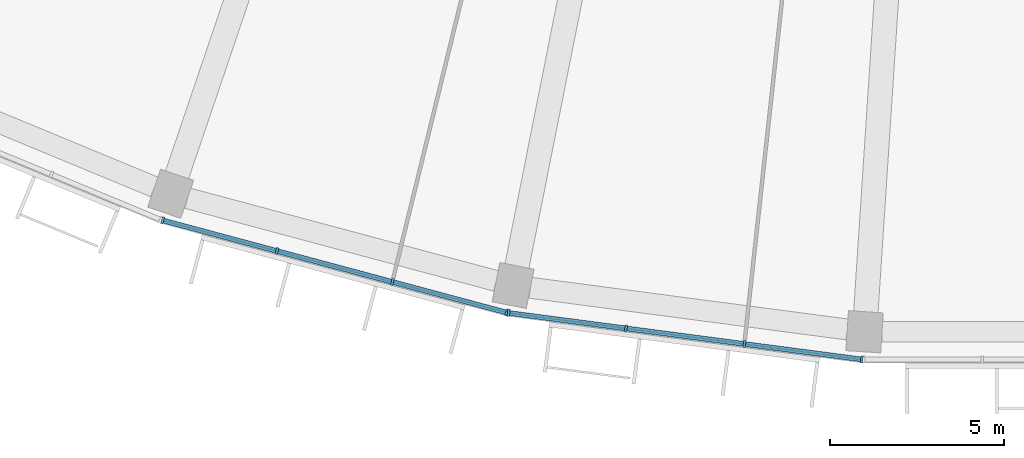
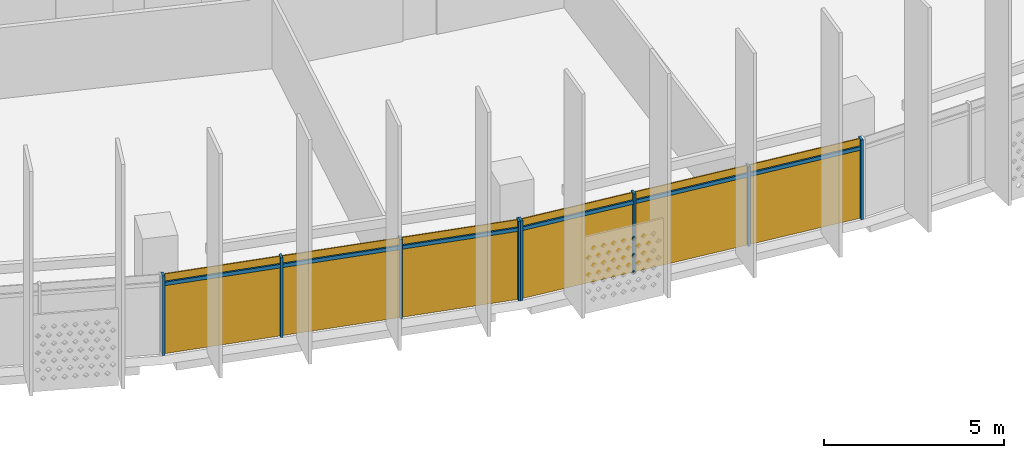
# One storey, part 18 of 28: 14 members, 2 curtain walls.
"""IFC4 building model written with IfcOpenShell, lengths in metres."""

import ifcopenshell
import ifcopenshell.guid

model = None  # the IFC model being written
_history = None  # IfcOwnerHistory: only IFC2X3 demands one
_inside = {}  # id of a spatial element -> (the spatial element, [elements in it])
_under = {}  # id of a project, library or spatial element -> (it, [spatial elements below it])
_declared = {}  # id of a project -> (the project, [libraries it declares])
_typed = {}  # id of a type object -> (the type object, [elements of that type])
_made_of = {}  # id of a material, layer set ... -> (it, [elements and type objects made of it])


def new_model(schema):
    """Start an empty IFC model of exactly this schema.

    Asked for "IFC4X3", IfcOpenShell would pick the latest addendum, in which some entities
    have other attributes; the version numbers below select the first issue.
    IFC2X3 requires an IfcOwnerHistory on every rooted entity: one is made here for all.
    """
    global model, _history
    if schema == "IFC4X3":
        model = ifcopenshell.file(schema_version=(4, 3, 0, 0))
    else:
        model = ifcopenshell.file(schema=schema)
    _inside.clear()
    _under.clear()
    _declared.clear()
    _typed.clear()
    _made_of.clear()
    _history = None
    if model.schema == "IFC2X3":
        org = make("IfcOrganization", Name="unknown")
        user = make(
            "IfcPersonAndOrganization",
            ThePerson=make("IfcPerson", FamilyName="unknown"),
            TheOrganization=org,
        )
        app = make(
            "IfcApplication",
            ApplicationDeveloper=org,
            Version="unknown",
            ApplicationFullName="unknown",
            ApplicationIdentifier="unknown",
        )
        _history = make(
            "IfcOwnerHistory",
            OwningUser=user,
            OwningApplication=app,
            ChangeAction="ADDED",
            CreationDate=0,
        )
    return model


def make(cls, **values):
    """One entity of the class cls with the attributes given. An attribute that is None is left unset."""
    return model.create_entity(
        cls, **{name: value for name, value in values.items() if value is not None}
    )


def rooted(cls, **values):
    """An entity with a GlobalId (a new one), such as an element, a storey or a relation."""
    return make(cls, GlobalId=ifcopenshell.guid.new(), OwnerHistory=_history, **values)


def si_unit(unit_type, name, prefix=None):
    """IfcSIUnit, for example si_unit("LENGTHUNIT", "METRE", prefix="MILLI")."""
    return make("IfcSIUnit", UnitType=unit_type, Prefix=prefix, Name=name)


def assignment(units):
    """IfcUnitAssignment: the units of a project."""
    return None if units is None else make("IfcUnitAssignment", Units=units)


def point(xyz):
    """IfcCartesianPoint."""
    return None if xyz is None else make("IfcCartesianPoint", Coordinates=xyz)


def direction(xyz):
    """IfcDirection."""
    return None if xyz is None else make("IfcDirection", DirectionRatios=xyz)


def frame(location, z_axis=None, x_axis=None):
    """IfcAxis2Placement3D, a coordinate frame: its origin and axes. An axis left out is left unset."""
    return make(
        "IfcAxis2Placement3D",
        Location=point(location),
        Axis=direction(z_axis),
        RefDirection=direction(x_axis),
    )


def frame_2d(location, x_axis=None):
    """IfcAxis2Placement2D, a coordinate frame in the plane: its origin and x axis."""
    return make(
        "IfcAxis2Placement2D", Location=point(location), RefDirection=direction(x_axis)
    )


def origin():
    """The frame at (0, 0, 0) with its axes left unset."""
    return frame((0.0, 0.0, 0.0))


def origin_2d():
    """The frame at (0, 0) in the plane with its x axis left unset."""
    return frame_2d((0.0, 0.0))


def place(relative_to, where):
    """IfcLocalPlacement: puts the frame where relative to a parent placement (None: the world)."""
    return make(
        "IfcLocalPlacement", PlacementRelTo=relative_to, RelativePlacement=where
    )


def context(
    kind, dimensions, precision=None, world=None, true_north=None, identifier=None
):
    """IfcGeometricRepresentationContext, for example the 3D "Model" context."""
    return make(
        "IfcGeometricRepresentationContext",
        ContextIdentifier=identifier,
        ContextType=kind,
        CoordinateSpaceDimension=dimensions,
        Precision=precision,
        WorldCoordinateSystem=world,
        TrueNorth=true_north,
    )


def subcontext(parent, identifier, kind, view, scale=None):
    """IfcGeometricRepresentationSubContext, for example "Body" below "Model"."""
    return make(
        "IfcGeometricRepresentationSubContext",
        ContextIdentifier=identifier,
        ContextType=kind,
        ParentContext=parent,
        TargetScale=scale,
        TargetView=view,
    )


def project(units=None, contexts=None):
    """IfcProject with its units and contexts."""
    return rooted(
        "IfcProject",
        Name="project",
        RepresentationContexts=contexts,
        UnitsInContext=assignment(units),
    )


def spatial(cls, under=None, at=None, **own):
    """A site, building, storey or space (cls), placed at a placement, below another one or the project."""
    s = rooted(cls, ObjectPlacement=at, **own)
    if under is not None:
        _under.setdefault(under.id(), (under, []))[1].append(s)
    return s


def profile(cls, at=None, kind="AREA", **sizes):
    """A parametric profile (cls). Its sizes go by their IFC names, for example OverallWidth=200.0."""
    return make(cls, ProfileType=kind, Position=at, **sizes)


def rectangle(**sizes):
    """IfcRectangleProfileDef."""
    return profile("IfcRectangleProfileDef", **sizes)


def extrude(swept, where, along, depth):
    """IfcExtrudedAreaSolid: the profile swept, set in the frame where, extruded along a direction by depth."""
    return make(
        "IfcExtrudedAreaSolid",
        SweptArea=swept,
        Position=where,
        ExtrudedDirection=direction(along),
        Depth=depth,
    )


def shape(context_of_items, identifier, shape_type, items):
    """IfcShapeRepresentation: the items that make up one representation, for example the "Body"."""
    return make(
        "IfcShapeRepresentation",
        ContextOfItems=context_of_items,
        RepresentationIdentifier=identifier,
        RepresentationType=shape_type,
        Items=items,
    )


def material(Name=None, Category=None):
    """IfcMaterial."""
    return make("IfcMaterial", Name=Name, Category=Category)


def material_profile(
    of_material, cross_section, Name=None, Category=None, Priority=None
):
    """IfcMaterialProfile: a cross section and its material."""
    return make(
        "IfcMaterialProfile",
        Name=Name,
        Material=of_material,
        Profile=cross_section,
        Priority=Priority,
        Category=Category,
    )


def profile_set(profiles, Name=None, composite=None):
    """IfcMaterialProfileSet."""
    return make(
        "IfcMaterialProfileSet",
        Name=Name,
        MaterialProfiles=profiles,
        CompositeProfile=composite,
    )


def made_of(thing, what):
    """Note that an element or type object is made of a material, layer set ...; save() writes the relation."""
    if what is not None:
        _made_of.setdefault(what.id(), (what, []))[1].append(thing)
    return thing


def type_object(cls, material=None, **own):
    """A type object (cls), such as IfcWallType, which elements share."""
    return made_of(rooted(cls, **own), material)


def element(
    cls,
    number,
    at=None,
    inside=None,
    cuts=None,
    type_object=None,
    material=None,
    context=None,
    identifier="Body",
    shape_type=None,
    held_by="IfcProductDefinitionShape",
    body=None,
    shapes=None,
    **own,
):
    """One element of the class cls, such as IfcWall. Its Tag is "e" and its number.

    at: its placement. inside: the storey or other place that contains it. cuts: it is an
    opening in that element (IfcRelVoidsElement). A single representation is given by context,
    identifier, shape_type and body (its items); several are given by shapes. held_by: the class
    of the entity that holds the representations. save() writes the other relations.
    """
    e = rooted(cls, Tag="e%d" % number, ObjectPlacement=at, **own)
    if body is not None:
        shapes = [shape(context, identifier, shape_type, body)]
    if shapes is not None:
        e.Representation = make(held_by, Representations=shapes)
    if inside is not None:
        _inside.setdefault(inside.id(), (inside, []))[1].append(e)
    if cuts is not None:
        rooted(
            "IfcRelVoidsElement", RelatingBuildingElement=cuts, RelatedOpeningElement=e
        )
    if type_object is not None:
        _typed.setdefault(type_object.id(), (type_object, []))[1].append(e)
    return made_of(e, material)


def aggregate(whole, parts):
    """IfcRelAggregates: a whole, such as a stair, and the parts it consists of."""
    return rooted("IfcRelAggregates", RelatingObject=whole, RelatedObjects=parts)


def save(model, path):
    """Write the relations noted so far, then the file.

    IfcRelAggregates (storeys below a building ...), IfcRelContainedInSpatialStructure (elements
    in a storey), IfcRelDefinesByType, IfcRelAssociatesMaterial and IfcRelDeclares: one each for
    every whole, place, type object, material and project.
    """
    for whole, parts in _under.values():
        aggregate(whole, parts)
    for where, things in _inside.values():
        rooted(
            "IfcRelContainedInSpatialStructure",
            RelatedElements=things,
            RelatingStructure=where,
        )
    for kind, things in _typed.values():
        rooted("IfcRelDefinesByType", RelatedObjects=things, RelatingType=kind)
    for what, things in _made_of.values():
        rooted("IfcRelAssociatesMaterial", RelatedObjects=things, RelatingMaterial=what)
    for by, libraries in _declared.values():
        rooted("IfcRelDeclares", RelatingContext=by, RelatedDefinitions=libraries)
    model.write(path)


model = new_model("IFC4")

# Units and contexts
model_context = context("Model", 3, precision=1e-05, world=origin(), true_north=direction((0.0, 1.0)))
body_context = subcontext(model_context, "Body", "Model", "MODEL_VIEW")
ifc_project = project(units=[si_unit("LENGTHUNIT", "METRE"), si_unit("AREAUNIT", "SQUARE_METRE"), si_unit("VOLUMEUNIT", "CUBIC_METRE"), si_unit("PLANEANGLEUNIT", "RADIAN"), si_unit("MASSUNIT", "GRAM", prefix="KILO")], contexts=[model_context])

# Member
ifc_material = material(Name="Aluminium 6063-T6 anodised", Category="aluminium")
ifc_material_profile_1 = material_profile(ifc_material, rectangle(XDim=0.199951171875, YDim=0.070068359375, at=origin_2d()))
ifc_profile_set_1 = profile_set([ifc_material_profile_1], Name="Aluminium 6063-T6 anodised")
member_type_1 = type_object("IfcMemberType", Name="Mullion 70 x 200 aluminium", PredefinedType="MULLION", material=ifc_profile_set_1)
site_placement = place(None, origin())
building_placement = place(site_placement, origin())
storey_placement = place(building_placement, frame((0.0, 0.0, 241.699951171875)))
member_1_placement = place(storey_placement, frame((-25.221435546875, -74.388427734375, 0.0), z_axis=(0.0, 0.0, 1.0), x_axis=(0.258819045103, 0.965925826289, 0.0)))
member_1 = element("IfcMember", 1, at=member_1_placement, type_object=member_type_1, Name="e-cw1-L58-out06/M00", PredefinedType="MULLION", context=body_context, shape_type="SweptSolid", body=[
    extrude(rectangle(XDim=0.199951171875, YDim=0.070068359375, at=origin_2d()), origin(), (0.0, 0.0, 1.0), 2.699951171875),
])

member_2_placement = place(storey_placement, frame((-21.94287109375, -75.26708984375, 0.0), z_axis=(0.0, 0.0, 1.0), x_axis=(0.258819045103, 0.965925826289, 0.0)))
member_2 = element("IfcMember", 2, at=member_2_placement, type_object=member_type_1, Name="e-cw1-L58-out06/M01", PredefinedType="MULLION", context=body_context, shape_type="SweptSolid", body=[
    extrude(rectangle(XDim=0.199951171875, YDim=0.070068359375, at=origin_2d()), origin(), (0.0, 0.0, 1.0), 2.699951171875),
])

member_3_placement = place(storey_placement, frame((-18.63037109375, -76.154541015625, 0.0), z_axis=(0.0, 0.0, 1.0), x_axis=(0.258819045103, 0.965925826289, 0.0)))
member_3 = element("IfcMember", 3, at=member_3_placement, type_object=member_type_1, Name="e-cw1-L58-out06/M02", PredefinedType="MULLION", context=body_context, shape_type="SweptSolid", body=[
    extrude(rectangle(XDim=0.199951171875, YDim=0.070068359375, at=origin_2d()), origin(), (0.0, 0.0, 1.0), 2.699951171875),
])

member_4_placement = place(storey_placement, frame((-15.351806640625, -77.033203125, 0.0), z_axis=(0.0, 0.0, 1.0), x_axis=(0.258819045103, 0.965925826289, 0.0)))
member_4 = element("IfcMember", 4, at=member_4_placement, type_object=member_type_1, Name="e-cw1-L58-out06/M03", PredefinedType="MULLION", context=body_context, shape_type="SweptSolid", body=[
    extrude(rectangle(XDim=0.199951171875, YDim=0.070068359375, at=origin_2d()), origin(), (0.0, 0.0, 1.0), 2.699951171875),
])

member_5_placement = place(storey_placement, frame((-15.296142578125, -77.044189453125, 0.0), z_axis=(0.0, 0.0, 1.0), x_axis=(0.13052619222, 0.991444861374, 0.0)))
member_5 = element("IfcMember", 5, at=member_5_placement, type_object=member_type_1, Name="e-cw1-L58-out07/M00", PredefinedType="MULLION", context=body_context, shape_type="SweptSolid", body=[
    extrude(rectangle(XDim=0.199951171875, YDim=0.070068359375, at=origin_2d()), origin(), (0.0, 0.0, 1.0), 2.699951171875),
])

member_6_placement = place(storey_placement, frame((-11.930908203125, -77.4873046875, 0.0), z_axis=(0.0, 0.0, 1.0), x_axis=(0.13052619222, 0.991444861374, 0.0)))
member_6 = element("IfcMember", 6, at=member_6_placement, type_object=member_type_1, Name="e-cw1-L58-out07/M01", PredefinedType="MULLION", context=body_context, shape_type="SweptSolid", body=[
    extrude(rectangle(XDim=0.199951171875, YDim=0.070068359375, at=origin_2d()), origin(), (0.0, 0.0, 1.0), 2.699951171875),
])

member_7_placement = place(storey_placement, frame((-8.53076171875, -77.934814453125, 0.0), z_axis=(0.0, 0.0, 1.0), x_axis=(0.13052619222, 0.991444861374, 0.0)))
member_7 = element("IfcMember", 7, at=member_7_placement, type_object=member_type_1, Name="e-cw1-L58-out07/M02", PredefinedType="MULLION", context=body_context, shape_type="SweptSolid", body=[
    extrude(rectangle(XDim=0.199951171875, YDim=0.070068359375, at=origin_2d()), origin(), (0.0, 0.0, 1.0), 2.699951171875),
])

member_8_placement = place(storey_placement, frame((-5.16552734375, -78.3779296875, 0.0), z_axis=(0.0, 0.0, 1.0), x_axis=(0.13052619222, 0.991444861374, 0.0)))
member_8 = element("IfcMember", 8, at=member_8_placement, type_object=member_type_1, Name="e-cw1-L58-out07/M03", PredefinedType="MULLION", context=body_context, shape_type="SweptSolid", body=[
    extrude(rectangle(XDim=0.199951171875, YDim=0.070068359375, at=origin_2d()), origin(), (0.0, 0.0, 1.0), 2.699951171875),
])

ifc_material_profile_2 = material_profile(ifc_material, rectangle(XDim=0.139892578125, YDim=0.1201171875, at=origin_2d()))
ifc_profile_set_2 = profile_set([ifc_material_profile_2], Name="Aluminium 6063-T6 anodised")
member_type_2 = type_object("IfcMemberType", Name="Transom 120 x 140 aluminium", PredefinedType="USERDEFINED", material=ifc_profile_set_2)
member_9_placement = place(storey_placement, frame((-25.187744140625, -74.3974609375, 2.400146484375), z_axis=(0.965908708139, -0.25888292246, 0.0), x_axis=(0.25888292246, 0.965908708139, 0.0)))
member_9 = element("IfcMember", 9, at=member_9_placement, type_object=member_type_2, Name="e-cw1-L58-out06/T00", ObjectType="TRANSOM", PredefinedType="USERDEFINED", context=body_context, shape_type="SweptSolid", body=[
    extrude(rectangle(XDim=0.139892578125, YDim=0.1201171875, at=origin_2d()), origin(), (0.0, 0.0, 1.0), 3.32421875),
])

member_10_placement = place(storey_placement, frame((-21.9091796875, -75.276123046875, 2.400146484375), z_axis=(0.965931507774, -0.258797840582, 0.0), x_axis=(0.258797840582, 0.965931507774, 0.0)))
member_10 = element("IfcMember", 10, at=member_10_placement, type_object=member_type_2, Name="e-cw1-L58-out06/T01", ObjectType="TRANSOM", PredefinedType="USERDEFINED", context=body_context, shape_type="SweptSolid", body=[
    extrude(rectangle(XDim=0.139892578125, YDim=0.1201171875, at=origin_2d()), origin(), (0.0, 0.0, 1.0), 3.359375),
])

member_11_placement = place(storey_placement, frame((-18.5966796875, -76.16357421875, 2.400146484375), z_axis=(0.965913629723, -0.258864559019, 0.0), x_axis=(0.258864559019, 0.965913629723, 0.0)))
member_11 = element("IfcMember", 11, at=member_11_placement, type_object=member_type_2, Name="e-cw1-L58-out06/T02", ObjectType="TRANSOM", PredefinedType="USERDEFINED", context=body_context, shape_type="SweptSolid", body=[
    extrude(rectangle(XDim=0.139892578125, YDim=0.1201171875, at=origin_2d()), origin(), (0.0, 0.0, 1.0), 3.324462890625),
])

member_12_placement = place(storey_placement, frame((-15.261474609375, -77.048828125, 2.400146484375), z_axis=(0.991447795146, -0.130503906072, 0.0), x_axis=(0.130503906072, 0.991447795146, 0.0)))
member_12 = element("IfcMember", 12, at=member_12_placement, type_object=member_type_2, Name="e-cw1-L58-out07/T00", ObjectType="TRANSOM", PredefinedType="USERDEFINED", context=body_context, shape_type="SweptSolid", body=[
    extrude(rectangle(XDim=0.139892578125, YDim=0.1201171875, at=origin_2d()), origin(), (0.0, 0.0, 1.0), 3.32421875),
])

member_13_placement = place(storey_placement, frame((-11.896240234375, -77.49169921875, 2.400146484375), z_axis=(0.991444893088, -0.130525951326, 0.0), x_axis=(0.130525951326, 0.991444893088, 0.0)))
member_13 = element("IfcMember", 13, at=member_13_placement, type_object=member_type_2, Name="e-cw1-L58-out07/T01", ObjectType="TRANSOM", PredefinedType="USERDEFINED", context=body_context, shape_type="SweptSolid", body=[
    extrude(rectangle(XDim=0.139892578125, YDim=0.1201171875, at=origin_2d()), origin(), (0.0, 0.0, 1.0), 3.359375),
])

member_14_placement = place(storey_placement, frame((-8.49609375, -77.939453125, 2.400146484375), z_axis=(0.991447795146, -0.130503906072, 0.0), x_axis=(0.130503906072, 0.991447795146, 0.0)))
member_14 = element("IfcMember", 14, at=member_14_placement, type_object=member_type_2, Name="e-cw1-L58-out07/T02", ObjectType="TRANSOM", PredefinedType="USERDEFINED", context=body_context, shape_type="SweptSolid", body=[
    extrude(rectangle(XDim=0.139892578125, YDim=0.1201171875, at=origin_2d()), origin(), (0.0, 0.0, 1.0), 3.32421875),
])

# Site, building, storey
site = spatial("IfcSite", under=ifc_project, at=site_placement, CompositionType="ELEMENT")
building = spatial("IfcBuilding", under=site, at=building_placement, Name="Qamariyya Broadcast Tower", CompositionType="ELEMENT")
storey = spatial("IfcBuildingStorey", under=building, at=storey_placement, Name="L58", CompositionType="ELEMENT", Elevation=241.699951171875)

# Curtain wall
curtain_wall_type = type_object("IfcCurtainWallType", Name="Unitised curtain wall, anodised aluminium", PredefinedType="NOTDEFINED", material=ifc_material)
curtain_wall_1_placement = place(storey_placement, origin())
curtain_wall_1 = element("IfcCurtainWall", 15, at=curtain_wall_1_placement, inside=storey, type_object=curtain_wall_type, Name="e-cw1-L58-out06", PredefinedType="NOTDEFINED", context=body_context, shape_type="SweptSolid", body=[
    extrude(rectangle(XDim=3.324462890625, YDim=0.031982421875, at=origin_2d()), frame((-23.582275390625, -74.82763671875, 0.0), x_axis=(0.965923476514, -0.258827814424, 0.0)), (0.0, 0.0, 1.0), 2.340087890625),
    extrude(rectangle(XDim=3.324462890625, YDim=0.031982421875, at=origin_2d()), frame((-23.582275390625, -74.82763671875, 2.4599609375), x_axis=(0.965923476514, -0.258827814424, 0.0)), (0.0, 0.0, 1.0), 0.239990234375),
    extrude(rectangle(XDim=3.359375, YDim=0.031982421875, at=origin_2d()), frame((-20.28662109375, -75.7109375, 0.0), x_axis=(0.965923476514, -0.258827814424, 0.0)), (0.0, 0.0, 1.0), 2.340087890625),
    extrude(rectangle(XDim=3.359375, YDim=0.031982421875, at=origin_2d()), frame((-20.28662109375, -75.7109375, 2.4599609375), x_axis=(0.965923476514, -0.258827814424, 0.0)), (0.0, 0.0, 1.0), 0.239990234375),
    extrude(rectangle(XDim=3.324462890625, YDim=0.031982421875, at=origin_2d()), frame((-16.990966796875, -76.593994140625, 0.0), x_axis=(0.965923476514, -0.258827814424, 0.0)), (0.0, 0.0, 1.0), 2.340087890625),
    extrude(rectangle(XDim=3.324462890625, YDim=0.031982421875, at=origin_2d()), frame((-16.990966796875, -76.593994140625, 2.4599609375), x_axis=(0.965923476514, -0.258827814424, 0.0)), (0.0, 0.0, 1.0), 0.239990234375),
])

aggregate(curtain_wall_1, [member_1, member_2, member_3, member_4, member_9, member_10, member_11])

curtain_wall_2_placement = place(storey_placement, origin())
curtain_wall_2 = element("IfcCurtainWall", 16, at=curtain_wall_2_placement, inside=storey, type_object=curtain_wall_type, Name="e-cw1-L58-out07", PredefinedType="NOTDEFINED", context=body_context, shape_type="SweptSolid", body=[
    extrude(rectangle(XDim=3.32421875, YDim=0.031982421875, at=origin_2d()), frame((-13.613525390625, -77.265625, 0.0), x_axis=(0.991442741341, -0.130542294457, 0.0)), (0.0, 0.0, 1.0), 2.340087890625),
    extrude(rectangle(XDim=3.32421875, YDim=0.031982421875, at=origin_2d()), frame((-13.613525390625, -77.265625, 2.4599609375), x_axis=(0.991442741341, -0.130542294457, 0.0)), (0.0, 0.0, 1.0), 0.239990234375),
    extrude(rectangle(XDim=3.359375, YDim=0.031982421875, at=origin_2d()), frame((-10.23095703125, -77.7109375, 0.0), x_axis=(0.991442741341, -0.130542294457, 0.0)), (0.0, 0.0, 1.0), 2.340087890625),
    extrude(rectangle(XDim=3.359375, YDim=0.031982421875, at=origin_2d()), frame((-10.23095703125, -77.7109375, 2.4599609375), x_axis=(0.991442741341, -0.130542294457, 0.0)), (0.0, 0.0, 1.0), 0.239990234375),
    extrude(rectangle(XDim=3.32421875, YDim=0.031982421875, at=origin_2d()), frame((-6.84814453125, -78.156494140625, 0.0), x_axis=(0.991442741341, -0.130542294457, 0.0)), (0.0, 0.0, 1.0), 2.340087890625),
    extrude(rectangle(XDim=3.32421875, YDim=0.031982421875, at=origin_2d()), frame((-6.84814453125, -78.156494140625, 2.4599609375), x_axis=(0.991442741341, -0.130542294457, 0.0)), (0.0, 0.0, 1.0), 0.239990234375),
])

aggregate(curtain_wall_2, [member_5, member_6, member_7, member_8, member_12, member_13, member_14])

save(model, "model.ifc")
